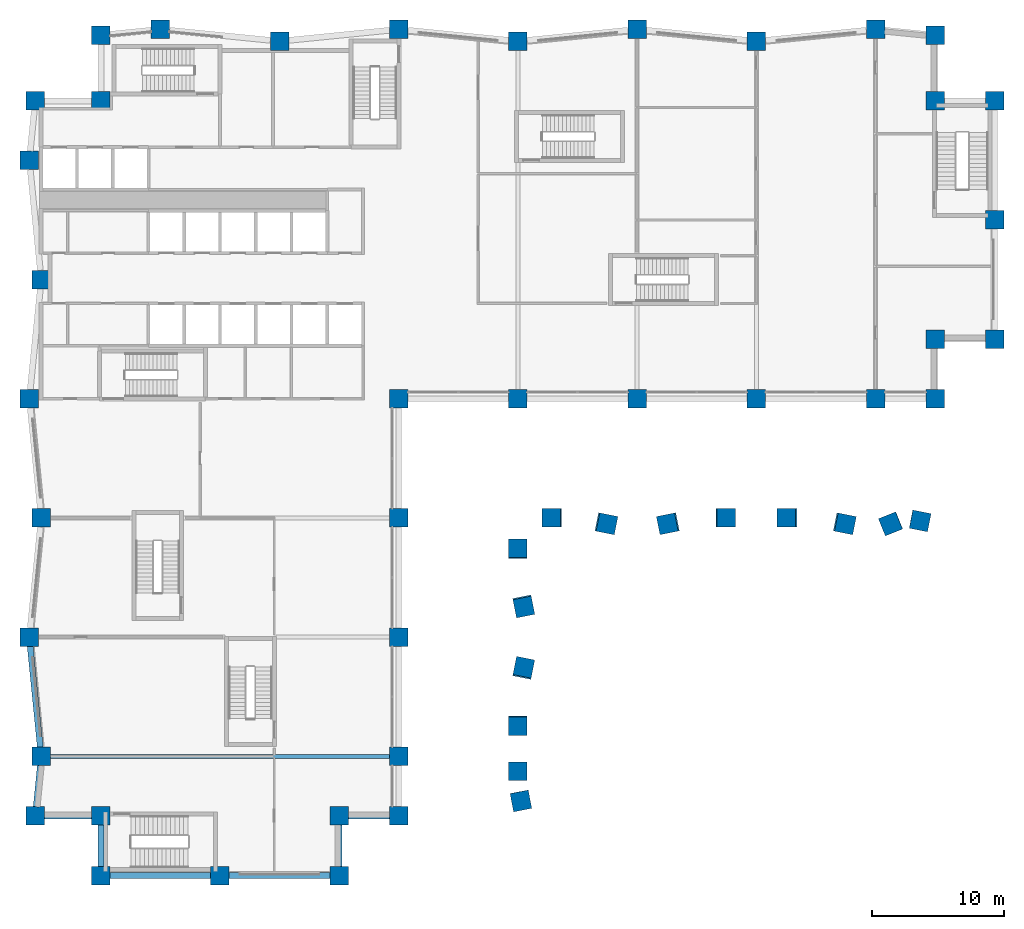
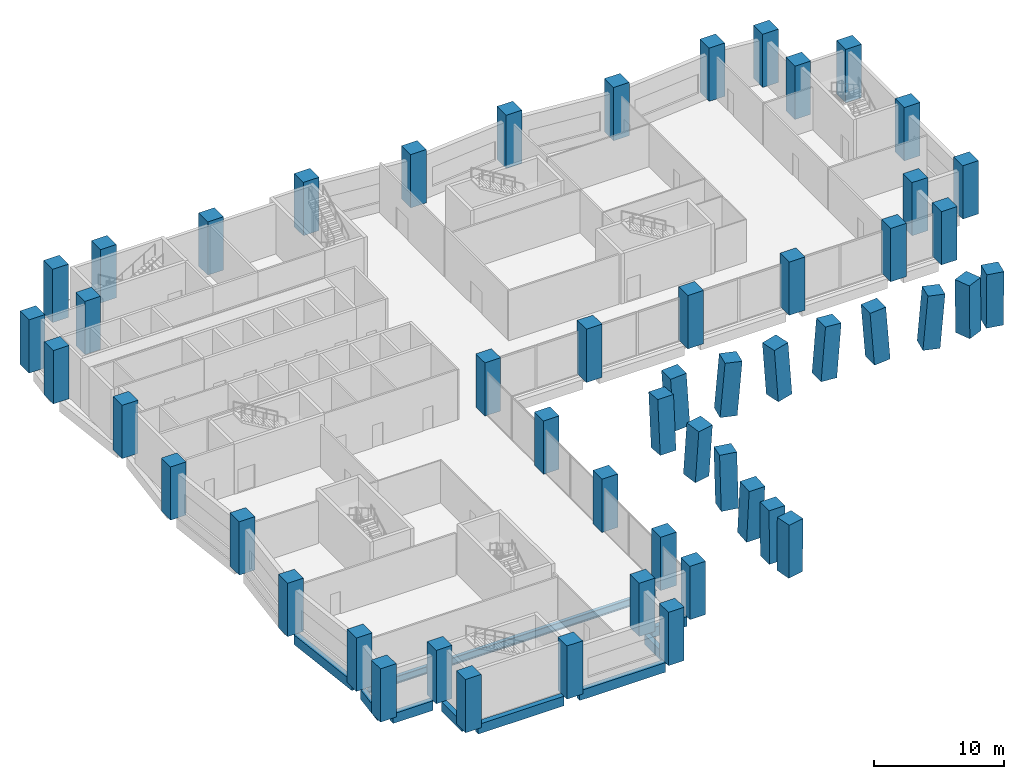
# One storey, part 1 of 17: 52 columns, 9 beams.
"""IFC4 building model written with IfcOpenShell, lengths in metres."""

from ifc_helpers import new_model, si_unit, direction, frame, origin, origin_2d, place, context, subcontext, project, spatial, rectangle, i_section, extrude, material, material_profile, profile_set, type_object, element, save


model = new_model("IFC4")

# Units and contexts
model_context = context("Model", 3, precision=1e-05, world=origin(), true_north=direction((0.0, 1.0)))
body_context = subcontext(model_context, "Body", "Model", "MODEL_VIEW")
ifc_project = project(units=[si_unit("LENGTHUNIT", "METRE"), si_unit("AREAUNIT", "SQUARE_METRE"), si_unit("VOLUMEUNIT", "CUBIC_METRE"), si_unit("PLANEANGLEUNIT", "RADIAN"), si_unit("MASSUNIT", "GRAM", prefix="KILO")], contexts=[model_context])

# Site, building, storey
site_placement = place(None, origin())
site = spatial("IfcSite", under=ifc_project, at=site_placement, CompositionType="ELEMENT")
building_placement = place(site_placement, origin())
building = spatial("IfcBuilding", under=site, at=building_placement, Name="Brondeck Convention Tower", CompositionType="ELEMENT")
storey_placement = place(building_placement, frame((0.0, 0.0, 14.5)))
storey = spatial("IfcBuildingStorey", under=building, at=storey_placement, Name="L02", CompositionType="ELEMENT", Elevation=14.5)

# Columns
ifc_material_1 = material(Name="Concrete C80/95", Category="concrete")
ifc_material_profile_1 = material_profile(ifc_material_1, rectangle(XDim=1.39990234375, YDim=1.39990234375, at=origin_2d()), Name="Mega column 1400x1400 Concrete C80/95")
ifc_profile_set_1 = profile_set([ifc_material_profile_1], Name="Concrete C80/95")
column_type_1 = type_object("IfcColumnType", Name="Mega column 1400x1400 Concrete C80/95", PredefinedType="COLUMN", material=ifc_profile_set_1)
for number, where, z_axis, x_axis, name in (
    (1, (4.5, 0.0, 0.0), (0.0, 0.0, 1.0), (1.0, 0.0, 0.0), "STR-COL-L02-BC-B-S-01"),
    (2, (13.5, 0.0, 0.0), (0.0, 0.0, 1.0), (1.0, 0.0, 0.0), "STR-COL-L02-BC-B-S-02"),
    (3, (22.5, 0.0, 0.0), (0.0, 0.0, 1.0), (1.0, 0.0, 0.0), "STR-COL-L02-BC-B-S-03"),
    (4, (27.0, 4.5, 0.0), (0.0, 0.0, 1.0), (1.0, 0.0, 0.0), "STR-COL-L02-BC-B-E-07"),
    (5, (27.0, 9.0, 0.0), (0.0, 0.0, 1.0), (1.0, 0.0, 0.0), "STR-COL-L02-BC-B-E-06"),
    (6, (27.0, 18.0, 0.0), (0.0, 0.0, 1.0), (1.0, 0.0, 0.0), "STR-COL-L02-BC-B-E-04"),
    (7, (27.0, 27.0, 0.0), (0.0, 0.0, 1.0), (1.0, 0.0, 0.0), "STR-COL-L02-BC-B-E-02"),
    (8, (27.0, 36.0, 0.0), (0.0, 0.0, 1.0), (1.0, 0.0, 0.0), "STR-COL-L02-BC-B-E-00"),
    (9, (36.0, 36.0, 0.0), (0.0, 0.0, 1.0), (1.0, 0.0, 0.0), "STR-COL-L02-BC-A-S-02"),
    (10, (45.0, 36.0, 0.0), (0.0, 0.0, 1.0), (1.0, 0.0, 0.0), "STR-COL-L02-BC-A-S-04"),
    (11, (54.0, 36.0, 0.0), (0.0, 0.0, 1.0), (1.0, 0.0, 0.0), "STR-COL-L02-BC-A-S-06"),
    (12, (63.0, 36.0, 0.0), (0.0, 0.0, 1.0), (1.0, 0.0, 0.0), "STR-COL-L02-BC-A-S-08"),
    (13, (67.5, 36.0, 0.0), (0.0, 0.0, 1.0), (1.0, 0.0, 0.0), "STR-COL-L02-BC-A-S-09"),
    (14, (72.0, 40.5, 0.0), (0.0, 0.0, 1.0), (1.0, 0.0, 0.0), "STR-COL-L02-BC-A-E-01"),
    (15, (72.0, 49.5, 0.0), (0.0, 0.0, 1.0), (1.0, 0.0, 0.0), "STR-COL-L02-BC-A-E-02"),
    (16, (72.0, 58.5, 0.0), (0.0, 0.0, 1.0), (1.0, 0.0, 0.0), "STR-COL-L02-BC-A-E-03"),
    (17, (67.5, 63.449951171875, 0.0), (0.0, 0.0, 1.0), (1.0, 0.0, 0.0), "STR-COL-L02-BC-A-N-15"),
    (18, (63.0, 63.89990234375, 0.0), (0.0, 0.0, 1.0), (1.0, 0.0, 0.0), "STR-COL-L02-BC-A-N-14"),
    (19, (54.0, 63.0, 0.0), (0.0, 0.0, 1.0), (1.0, 0.0, 0.0), "STR-COL-L02-BC-A-N-12"),
    (20, (45.0, 63.89990234375, 0.0), (0.0, 0.0, 1.0), (1.0, 0.0, 0.0), "STR-COL-L02-BC-A-N-10"),
    (21, (36.0, 63.0, 0.0), (0.0, 0.0, 1.0), (1.0, 0.0, 0.0), "STR-COL-L02-BC-A-N-08"),
    (22, (27.0, 63.89990234375, 0.0), (0.0, 0.0, 1.0), (1.0, 0.0, 0.0), "STR-COL-L02-BC-A-N-06"),
    (23, (18.0, 63.0, 0.0), (0.0, 0.0, 1.0), (1.0, 0.0, 0.0), "STR-COL-L02-BC-A-N-04"),
    (24, (9.0, 63.89990234375, 0.0), (0.0, 0.0, 1.0), (1.0, 0.0, 0.0), "STR-COL-L02-BC-A-N-02"),
    (25, (4.5, 63.449951171875, 0.0), (0.0, 0.0, 1.0), (1.0, 0.0, 0.0), "STR-COL-L02-BC-A-N-01"),
    (26, (-0.449951171875, 58.5, 0.0), (0.0, 0.0, 1.0), (1.0, 0.0, 0.0), "STR-COL-L02-BC-B-W-01"),
    (27, (-0.89990234375, 54.0, 0.0), (0.0, 0.0, 1.0), (1.0, 0.0, 0.0), "STR-COL-L02-BC-B-W-02"),
    (28, (0.0, 45.0, 0.0), (0.0, 0.0, 1.0), (1.0, 0.0, 0.0), "STR-COL-L02-BC-B-W-04"),
    (29, (-0.89990234375, 36.0, 0.0), (0.0, 0.0, 1.0), (1.0, 0.0, 0.0), "STR-COL-L02-BC-B-W-06"),
    (30, (0.0, 27.0, 0.0), (0.0, 0.0, 1.0), (1.0, 0.0, 0.0), "STR-COL-L02-BC-B-W-08"),
    (31, (-0.89990234375, 18.0, 0.0), (0.0, 0.0, 1.0), (1.0, 0.0, 0.0), "STR-COL-L02-BC-B-W-10"),
    (32, (0.0, 9.0, 0.0), (0.0, 0.0, 1.0), (1.0, 0.0, 0.0), "STR-COL-L02-BC-B-W-12"),
    (33, (-0.449951171875, 4.5, 0.0), (0.0, 0.0, 1.0), (1.0, 0.0, 0.0), "STR-COL-L02-BC-B-W-13"),
    (34, (4.5, 4.5, 0.0), (0.0, 0.0, 1.0), (1.0, 0.0, 0.0), "STR-COL-L02-NC-SWB"),
    (35, (22.5, 4.5, 0.0), (0.0, 0.0, 1.0), (1.0, 0.0, 0.0), "STR-COL-L02-NC-SEB"),
    (36, (67.5, 40.5, 0.0), (0.0, 0.0, 1.0), (1.0, 0.0, 0.0), "STR-COL-L02-NC-SEA"),
    (37, (67.5, 58.5, 0.0), (0.0, 0.0, 1.0), (1.0, 0.0, 0.0), "STR-COL-L02-NC-NEA"),
    (38, (4.5, 58.5, 0.0), (0.0, 0.0, 1.0), (1.0, 0.0, 0.0), "STR-COL-L02-NC-NW"),
):
    element("IfcColumn", number, at=place(storey_placement, frame(where, z_axis=z_axis, x_axis=x_axis)), inside=storey, type_object=column_type_1, Name=name, PredefinedType="COLUMN", context=body_context, shape_type="SweptSolid", body=[
        extrude(rectangle(XDim=1.39990234375, YDim=1.39990234375, at=origin_2d()), origin(), (0.0, 0.0, 1.0), 5.0),
    ])
ifc_material_profile_2 = material_profile(ifc_material_1, rectangle(XDim=1.39990234375, YDim=1.39990234375, at=origin_2d()), Name="Raking V column 1400x1400 Concrete C80/95")
ifc_profile_set_2 = profile_set([ifc_material_profile_2], Name="Concrete C80/95")
column_type_2 = type_object("IfcColumnType", Name="Raking V column 1400x1400 Concrete C80/95", PredefinedType="COLUMN", material=ifc_profile_set_2)
column_1_placement = place(storey_placement, frame((38.59375, 27.0, 0.0), z_axis=(-0.062378286155, 0.0, 0.998052578483), x_axis=(0.0, -1.0, 0.0)))
element("IfcColumn", 39, at=column_1_placement, inside=storey, type_object=column_type_2, Name="STR-COL-L02-V-A-S-1-W", PredefinedType="COLUMN", context=body_context, shape_type="SweptSolid", body=[
    extrude(rectangle(XDim=1.39990234375, YDim=1.39990234375, at=origin_2d()), origin(), (0.0, 0.0, 1.0), 5.009765625),
])
for number, where, z_axis, x_axis, name in (
    (40, (42.631103515625, 26.57373046875, 0.0), (0.079038846107, -0.015817503069, 0.996746039572), (0.196232247519, 0.980557446065, 0.0), "STR-COL-L02-V-A-S-1-E"),
    (41, (47.368896484375, 26.57373046875, 0.0), (-0.079038846107, -0.015817503069, 0.996746039572), (0.196232247519, -0.980557446065, 0.0), "STR-COL-L02-V-A-S-2-W"),
):
    element("IfcColumn", number, at=place(storey_placement, frame(where, z_axis=z_axis, x_axis=x_axis)), inside=storey, type_object=column_type_2, Name=name, PredefinedType="COLUMN", context=body_context, shape_type="SweptSolid", body=[
        extrude(rectangle(XDim=1.39990234375, YDim=1.39990234375, at=origin_2d()), origin(), (0.0, 0.0, 1.0), 5.016357421875),
    ])
for number, where, z_axis, x_axis, name in (
    (42, (51.6328125, 27.0, 0.0), (0.077887667293, 0.0, 0.996962141349), (0.0, 1.0, 0.0), "STR-COL-L02-V-A-S-2-E"),
    (43, (56.3671875, 27.0, 0.0), (-0.077887667293, 0.0, 0.996962141349), (0.0, -1.0, 0.0), "STR-COL-L02-V-A-S-3-W"),
):
    element("IfcColumn", number, at=place(storey_placement, frame(where, z_axis=z_axis, x_axis=x_axis)), inside=storey, type_object=column_type_2, Name=name, PredefinedType="COLUMN", context=body_context, shape_type="SweptSolid", body=[
        extrude(rectangle(XDim=1.39990234375, YDim=1.39990234375, at=origin_2d()), origin(), (0.0, 0.0, 1.0), 5.01513671875),
    ])
column_2_placement = place(storey_placement, frame((60.631103515625, 26.57373046875, 0.0), z_axis=(0.079038846107, -0.015817503069, 0.996746039572), x_axis=(0.196232247519, 0.980557446065, 0.0)))
element("IfcColumn", 44, at=column_2_placement, inside=storey, type_object=column_type_2, Name="STR-COL-L02-V-A-S-3-E", PredefinedType="COLUMN", context=body_context, shape_type="SweptSolid", body=[
    extrude(rectangle(XDim=1.39990234375, YDim=1.39990234375, at=origin_2d()), origin(), (0.0, 0.0, 1.0), 5.016357421875),
])
column_3_placement = place(storey_placement, frame((64.143310546875, 26.557373046875, 0.0), z_axis=(-0.012254790025, -0.004931210329, 0.999912747837), x_axis=(0.373301642118, -0.9277100215, 0.0)))
element("IfcColumn", 45, at=column_3_placement, inside=storey, type_object=column_type_2, Name="STR-COL-L02-V-A-S-4-W", PredefinedType="COLUMN", context=body_context, shape_type="SweptSolid", body=[
    extrude(rectangle(XDim=1.39990234375, YDim=1.39990234375, at=origin_2d()), origin(), (0.0, 0.0, 1.0), 5.00048828125),
])
column_4_placement = place(storey_placement, frame((66.361572265625, 26.777587890625, 0.0), z_axis=(0.008983998538, -0.001757738844, 0.999958098184), x_axis=(0.192011606386, 0.98139265486, 0.0)))
element("IfcColumn", 46, at=column_4_placement, inside=storey, type_object=column_type_2, Name="STR-COL-L02-V-A-S-4-E", PredefinedType="COLUMN", context=body_context, shape_type="SweptSolid", body=[
    extrude(rectangle(XDim=1.39990234375, YDim=1.39990234375, at=origin_2d()), origin(), (0.0, 0.0, 1.0), 5.000244140625),
])
column_5_placement = place(storey_placement, frame((36.0, 24.6328125, 0.0), z_axis=(0.0, 0.077887667293, 0.996962141349), x_axis=(-1.0, 0.0, 0.0)))
element("IfcColumn", 47, at=column_5_placement, inside=storey, type_object=column_type_2, Name="STR-COL-L02-V-B-E-1-W", PredefinedType="COLUMN", context=body_context, shape_type="SweptSolid", body=[
    extrude(rectangle(XDim=1.39990234375, YDim=1.39990234375, at=origin_2d()), origin(), (0.0, 0.0, 1.0), 5.01513671875),
])
for number, where, z_axis, x_axis, name in (
    (48, (36.42626953125, 20.368896484375, 0.0), (0.015817503069, -0.079038846107, 0.996746039572), (0.980557446065, 0.196232247519, 0.0), "STR-COL-L02-V-B-E-1-E"),
    (49, (36.42626953125, 15.631103515625, 0.0), (0.015817503069, 0.079038846107, 0.996746039572), (-0.980557446065, 0.196232247519, 0.0), "STR-COL-L02-V-B-E-2-W"),
):
    element("IfcColumn", number, at=place(storey_placement, frame(where, z_axis=z_axis, x_axis=x_axis)), inside=storey, type_object=column_type_2, Name=name, PredefinedType="COLUMN", context=body_context, shape_type="SweptSolid", body=[
        extrude(rectangle(XDim=1.39990234375, YDim=1.39990234375, at=origin_2d()), origin(), (0.0, 0.0, 1.0), 5.016357421875),
    ])
column_6_placement = place(storey_placement, frame((36.0, 11.3671875, 0.0), z_axis=(0.0, -0.077887667293, 0.996962141349), x_axis=(1.0, 0.0, 0.0)))
element("IfcColumn", 50, at=column_6_placement, inside=storey, type_object=column_type_2, Name="STR-COL-L02-V-B-E-2-E", PredefinedType="COLUMN", context=body_context, shape_type="SweptSolid", body=[
    extrude(rectangle(XDim=1.39990234375, YDim=1.39990234375, at=origin_2d()), origin(), (0.0, 0.0, 1.0), 5.01513671875),
])
for number, where, z_axis, x_axis, name in (
    (51, (36.0, 7.86328125, 0.0), (0.0, 0.007812261592, 0.999969483819), (-1.0, 0.0, 0.0), "STR-COL-L02-V-B-E-3-W"),
    (52, (36.222412109375, 5.638427734375, 0.0), (0.001757738844, -0.008983998538, 0.999958098184), (0.98139265486, 0.192011606386, 0.0), "STR-COL-L02-V-B-E-3-E"),
):
    element("IfcColumn", number, at=place(storey_placement, frame(where, z_axis=z_axis, x_axis=x_axis)), inside=storey, type_object=column_type_2, Name=name, PredefinedType="COLUMN", context=body_context, shape_type="SweptSolid", body=[
        extrude(rectangle(XDim=1.39990234375, YDim=1.39990234375, at=origin_2d()), origin(), (0.0, 0.0, 1.0), 5.000244140625),
    ])

# Beams
ifc_material_profile_3 = material_profile(ifc_material_1, rectangle(XDim=0.449951171875, YDim=0.89990234375, at=origin_2d()), Name="Edge beam 450x900 Concrete C80/95")
ifc_profile_set_3 = profile_set([ifc_material_profile_3], Name="Concrete C80/95")
beam_type_1 = type_object("IfcBeamType", Name="Edge beam 450x900 Concrete C80/95", PredefinedType="BEAM", material=ifc_profile_set_3)
for number, where, z_axis, x_axis, name in (
    (53, (5.199951171875, 0.0, -0.449951171875), (1.0, 0.0, 0.0), (0.0, 1.0, 0.0), "STR-SP-L02-001"),
    (54, (14.199951171875, 0.0, -0.449951171875), (1.0, 0.0, 0.0), (0.0, 1.0, 0.0), "STR-SP-L02-002"),
):
    element("IfcBeam", number, at=place(storey_placement, frame(where, z_axis=z_axis, x_axis=x_axis)), inside=storey, type_object=beam_type_1, Name=name, PredefinedType="BEAM", context=body_context, shape_type="SweptSolid", body=[
        extrude(rectangle(XDim=0.449951171875, YDim=0.89990234375, at=origin_2d()), origin(), (0.0, 0.0, 1.0), 7.60009765625),
    ])
for number, where, z_axis, x_axis, name in (
    (55, (22.5, 0.699951171875, -0.449951171875), (0.0, 1.0, 0.0), (-1.0, 0.0, 0.0), "STR-SP-L02-003"),
    (56, (23.199951171875, 4.5, -0.449951171875), (1.0, 0.0, 0.0), (0.0, 1.0, 0.0), "STR-SP-L02-004"),
):
    element("IfcBeam", number, at=place(storey_placement, frame(where, z_axis=z_axis, x_axis=x_axis)), inside=storey, type_object=beam_type_1, Name=name, PredefinedType="BEAM", context=body_context, shape_type="SweptSolid", body=[
        extrude(rectangle(XDim=0.449951171875, YDim=0.89990234375, at=origin_2d()), origin(), (0.0, 0.0, 1.0), 3.10009765625),
    ])
beam_1_placement = place(storey_placement, frame((-0.830078125, 17.300048828125, -0.449951171875), z_axis=(0.099503719021, -0.99503719021, 0.0), x_axis=(0.99503719021, 0.099503719021, 0.0)))
element("IfcBeam", 57, at=beam_1_placement, inside=storey, type_object=beam_type_1, Name="STR-SP-L02-035", PredefinedType="BEAM", context=body_context, shape_type="SweptSolid", body=[
    extrude(rectangle(XDim=0.449951171875, YDim=0.89990234375, at=origin_2d()), origin(), (0.0, 0.0, 1.0), 7.637939453125),
])
beam_2_placement = place(storey_placement, frame((-0.070068359375, 8.300048828125, -0.449951171875), z_axis=(-0.099441649747, -0.995043395182, 0.0), x_axis=(0.995043395182, -0.099441649747, 0.0)))
element("IfcBeam", 58, at=beam_2_placement, inside=storey, type_object=beam_type_1, Name="STR-SP-L02-036", PredefinedType="BEAM", context=body_context, shape_type="SweptSolid", body=[
    extrude(rectangle(XDim=0.449951171875, YDim=0.89990234375, at=origin_2d()), origin(), (0.0, 0.0, 1.0), 3.115478515625),
])
beam_3_placement = place(storey_placement, frame((0.25, 4.5, -0.449951171875), z_axis=(1.0, 0.0, 0.0), x_axis=(0.0, 1.0, 0.0)))
element("IfcBeam", 59, at=beam_3_placement, inside=storey, type_object=beam_type_1, Name="STR-SP-L02-037", PredefinedType="BEAM", context=body_context, shape_type="SweptSolid", body=[
    extrude(rectangle(XDim=0.449951171875, YDim=0.89990234375, at=origin_2d()), origin(), (0.0, 0.0, 1.0), 3.550048828125),
])
beam_4_placement = place(storey_placement, frame((4.5, 3.800048828125, -0.449951171875), z_axis=(0.0, -1.0, 0.0), x_axis=(1.0, 0.0, 0.0)))
element("IfcBeam", 60, at=beam_4_placement, inside=storey, type_object=beam_type_1, Name="STR-SP-L02-038", PredefinedType="BEAM", context=body_context, shape_type="SweptSolid", body=[
    extrude(rectangle(XDim=0.449951171875, YDim=0.89990234375, at=origin_2d()), origin(), (0.0, 0.0, 1.0), 3.10009765625),
])
ifc_material_2 = material(Name="Steel S355", Category="steel")
ifc_material_profile_4 = material_profile(ifc_material_2, i_section(OverallWidth=0.300048828125, OverallDepth=0.699951171875, WebThickness=0.01708984375, FlangeThickness=0.031982421875, FilletRadius=0.027099609375, at=origin_2d()), Name="HEB 700")
ifc_profile_set_4 = profile_set([ifc_material_profile_4], Name="Steel S355")
beam_type_2 = type_object("IfcBeamType", Name="Girder HEB 700", PredefinedType="BEAM", material=ifc_profile_set_4)
beam_5_placement = place(storey_placement, frame((0.699951171875, 9.0, -0.64990234375), z_axis=(1.0, 0.0, 0.0), x_axis=(0.0, 1.0, 0.0)))
element("IfcBeam", 61, at=beam_5_placement, inside=storey, type_object=beam_type_2, Name="STR-GR-L02-007", PredefinedType="BEAM", context=body_context, shape_type="SweptSolid", body=[
    extrude(i_section(OverallWidth=0.300048828125, OverallDepth=0.699951171875, WebThickness=0.01708984375, FlangeThickness=0.031982421875, FilletRadius=0.027099609375, at=origin_2d()), origin(), (0.0, 0.0, 1.0), 25.60009765625),
])

save(model, "model.ifc")
